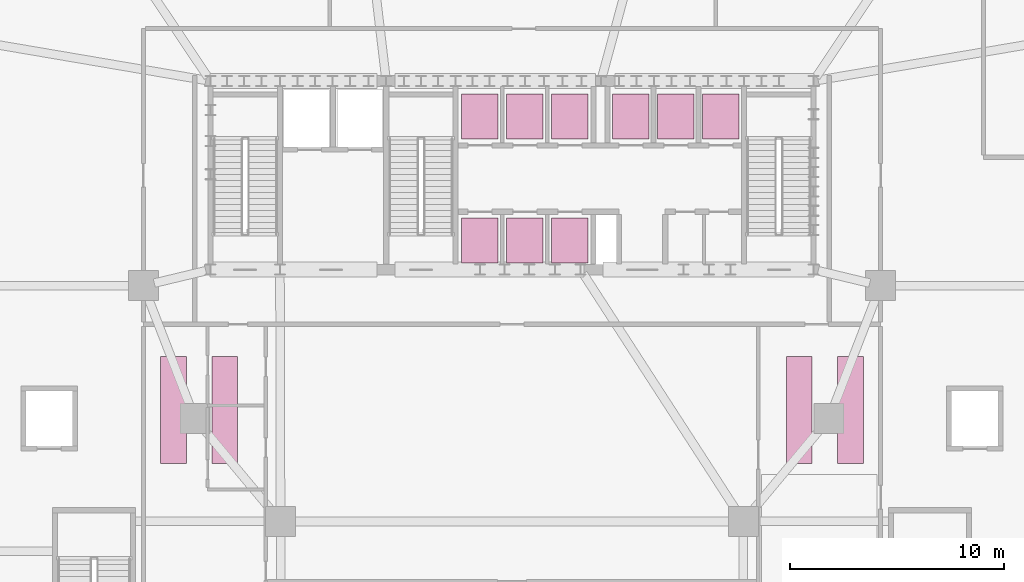
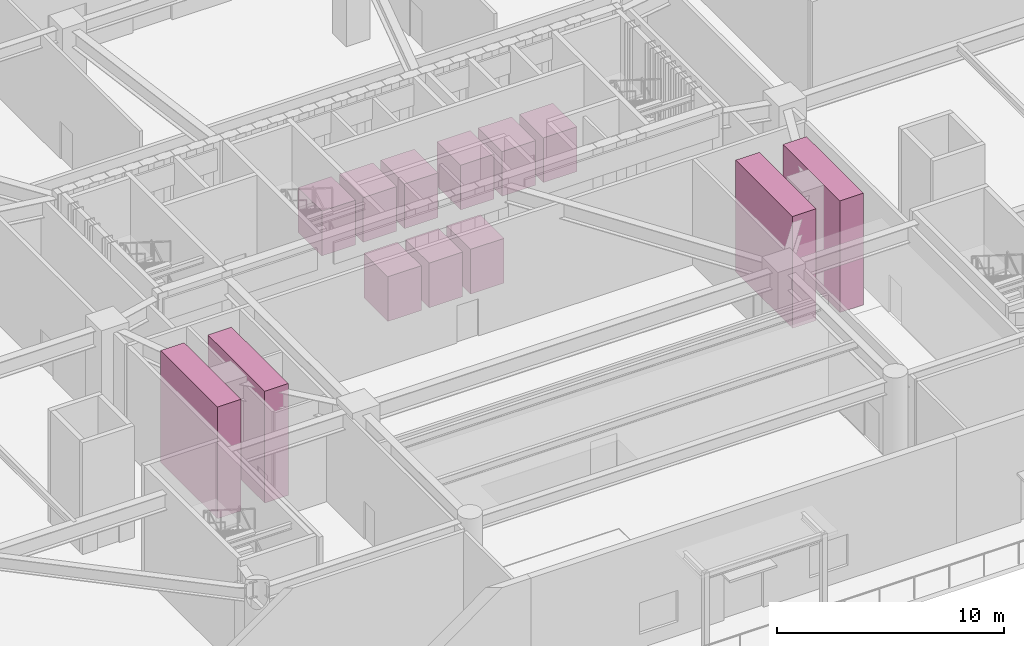
# One storey, part 21 of 21: 13 transport elements.
"""IFC4 building model written with IfcOpenShell, lengths in metres."""

from ifc_helpers import new_model, si_unit, direction, frame, origin, origin_2d, place, context, subcontext, project, spatial, rectangle, extrude, material, type_object, element, save


model = new_model("IFC4")

# Units and contexts
model_context = context("Model", 3, precision=1e-05, world=origin(), true_north=direction((0.0, 1.0)))
body_context = subcontext(model_context, "Body", "Model", "MODEL_VIEW")
ifc_project = project(units=[si_unit("LENGTHUNIT", "METRE"), si_unit("AREAUNIT", "SQUARE_METRE"), si_unit("VOLUMEUNIT", "CUBIC_METRE"), si_unit("PLANEANGLEUNIT", "RADIAN"), si_unit("MASSUNIT", "GRAM", prefix="KILO")], contexts=[model_context])

# Site, building, storey
site_placement = place(None, origin())
site = spatial("IfcSite", under=ifc_project, at=site_placement, CompositionType="ELEMENT")
building_placement = place(site_placement, origin())
building = spatial("IfcBuilding", under=site, at=building_placement, Name="Haldorwick Loom Tower", CompositionType="ELEMENT")
storey_placement = place(building_placement, origin())
storey = spatial("IfcBuildingStorey", under=building, at=storey_placement, Name="L00", CompositionType="ELEMENT", Elevation=0.0)

# Transport elements
ifc_material = material(Name="Steel CSA G40.21 350W", Category="steel")
transport_element_type_1 = type_object("IfcTransportElementType", Name="ARC-ESC-TRANSIT", PredefinedType="ESCALATOR", material=ifc_material)
for number, where, z_axis, x_axis, name in (
    (1, (20.199951171875, 20.199951171875, 0.0), (0.0, 0.0, 1.0), (1.0, 0.0, 0.0), "L00 Station Transit Escalator ESC-03"),
    (2, (22.60009765625, 20.199951171875, 0.0), (0.0, 0.0, 1.0), (1.0, 0.0, 0.0), "L00 Station Transit Escalator ESC-04"),
    (3, (49.39990234375, 20.199951171875, 0.0), (0.0, 0.0, 1.0), (1.0, 0.0, 0.0), "L00 Station Transit Escalator ESC-05"),
    (4, (51.800048828125, 20.199951171875, 0.0), (0.0, 0.0, 1.0), (1.0, 0.0, 0.0), "L00 Station Transit Escalator ESC-06"),
):
    element("IfcTransportElement", number, at=place(storey_placement, frame(where, z_axis=z_axis, x_axis=x_axis)), inside=storey, type_object=transport_element_type_1, Name=name, PredefinedType="ESCALATOR", context=body_context, shape_type="SweptSolid", body=[
        extrude(rectangle(XDim=1.199951171875, YDim=5.0, at=origin_2d()), origin(), (0.0, 0.0, 1.0), 6.0),
    ])
transport_element_type_2 = type_object("IfcTransportElementType", Name="ARC-LFT-PAX1600", PredefinedType="ELEVATOR", material=ifc_material)
for number, where, z_axis, x_axis, name in (
    (5, (34.5, 33.89990234375, 0.0), (0.0, 0.0, 1.0), (1.0, 0.0, 0.0), "Passenger Elevator LF-L1"),
    (6, (36.60009765625, 33.89990234375, 0.0), (0.0, 0.0, 1.0), (1.0, 0.0, 0.0), "Passenger Elevator LF-L2"),
    (7, (38.699951171875, 33.89990234375, 0.0), (0.0, 0.0, 1.0), (1.0, 0.0, 0.0), "Passenger Elevator LF-L3"),
    (8, (34.5, 28.10009765625, 0.0), (0.0, 0.0, 1.0), (1.0, 0.0, 0.0), "Passenger Elevator LF-M1"),
    (9, (36.60009765625, 28.10009765625, 0.0), (0.0, 0.0, 1.0), (1.0, 0.0, 0.0), "Passenger Elevator LF-M2"),
    (10, (38.699951171875, 28.10009765625, 0.0), (0.0, 0.0, 1.0), (1.0, 0.0, 0.0), "Passenger Elevator LF-M3"),
    (11, (41.550048828125, 33.89990234375, 0.0), (0.0, 0.0, 1.0), (1.0, 0.0, 0.0), "Passenger Elevator LF-H1"),
    (12, (43.64990234375, 33.89990234375, 0.0), (0.0, 0.0, 1.0), (1.0, 0.0, 0.0), "Passenger Elevator LF-H2"),
    (13, (45.75, 33.89990234375, 0.0), (0.0, 0.0, 1.0), (1.0, 0.0, 0.0), "Passenger Elevator LF-H3"),
):
    element("IfcTransportElement", number, at=place(storey_placement, frame(where, z_axis=z_axis, x_axis=x_axis)), inside=storey, type_object=transport_element_type_2, Name=name, PredefinedType="ELEVATOR", context=body_context, shape_type="SweptSolid", body=[
        extrude(rectangle(XDim=1.699951171875, YDim=2.10009765625, at=origin_2d()), origin(), (0.0, 0.0, 1.0), 2.39990234375),
    ])

save(model, "model.ifc")
